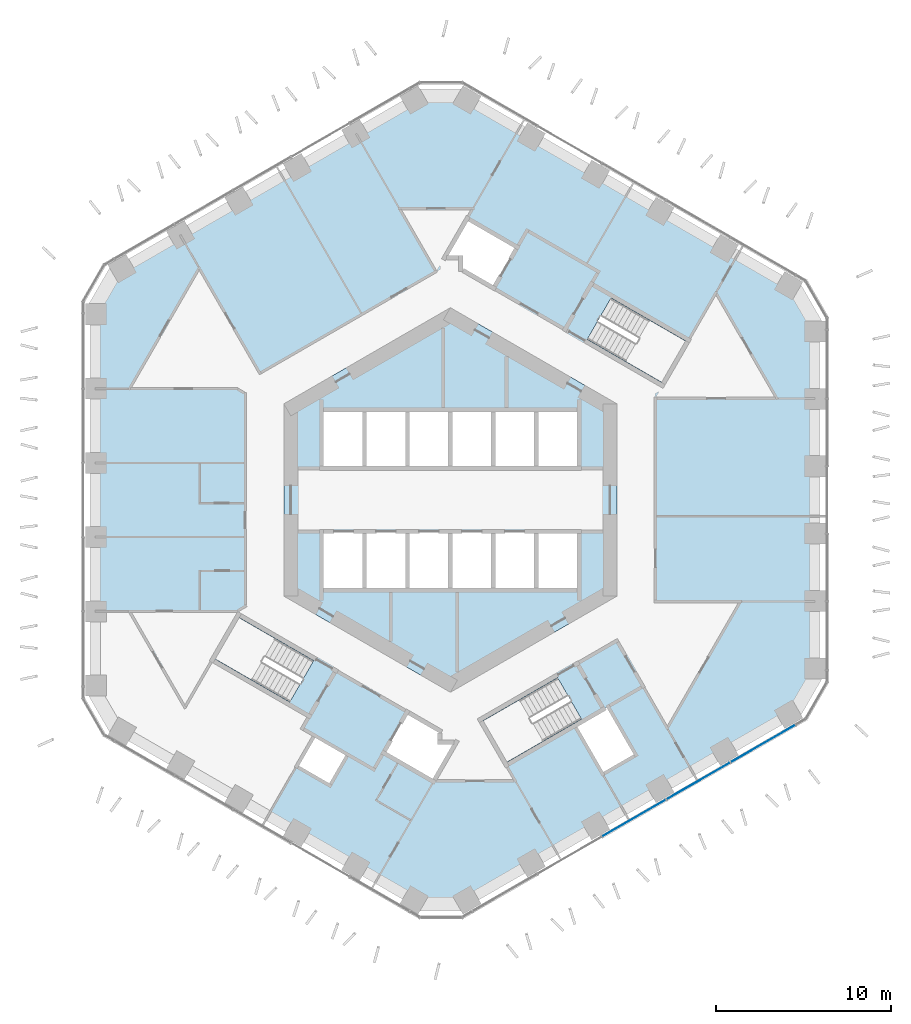
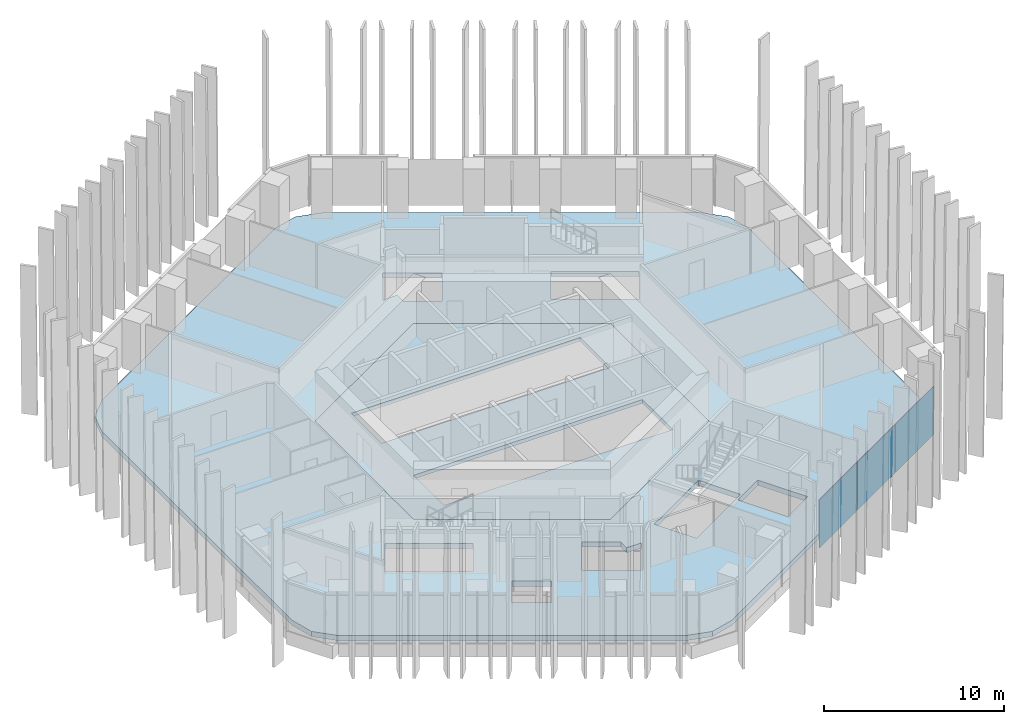
# One storey, part 9 of 19: 3 plates, 2 slabs, 1 element without a shape of its own.
"""IFC4 building model written with IfcOpenShell, lengths in metres."""

from ifc_helpers import new_model, si_unit, direction, frame, origin, origin_2d, place, context, subcontext, project, spatial, polyline, rectangle, outline, extrude, material, layer, layer_set, type_object, element, aggregate, save


model = new_model("IFC4")

# Units and contexts
model_context = context("Model", 3, precision=1e-05, world=origin(), true_north=direction((0.0, 1.0)))
body_context = subcontext(model_context, "Body", "Model", "MODEL_VIEW")
ifc_project = project(units=[si_unit("LENGTHUNIT", "METRE"), si_unit("AREAUNIT", "SQUARE_METRE"), si_unit("VOLUMEUNIT", "CUBIC_METRE"), si_unit("PLANEANGLEUNIT", "RADIAN"), si_unit("MASSUNIT", "GRAM", prefix="KILO")], contexts=[model_context])

# Site, building, storey
site_placement = place(None, origin())
site = spatial("IfcSite", under=ifc_project, at=site_placement, CompositionType="ELEMENT")
building_placement = place(site_placement, origin())
building = spatial("IfcBuilding", under=site, at=building_placement, Name="Ayvan Gate Tower", CompositionType="ELEMENT")
storey_placement = place(building_placement, frame((0.0, 0.0, 56.10009765625)))
storey = spatial("IfcBuildingStorey", under=building, at=storey_placement, Name="L14", CompositionType="ELEMENT", Elevation=56.10009765625)

# Slabs
ifc_material_1 = material(Name="Concrete C40/50", Category="concrete")
ifc_layer_1 = layer(ifc_material_1, 0.35009765625)
ifc_layer_set_1 = layer_set([ifc_layer_1], Name="Concrete C40/50")
slab_type_1 = type_object("IfcSlabType", Name="Post-tensioned flat slab 350", PredefinedType="FLOOR", material=ifc_layer_set_1)
slab_1_placement = place(storey_placement, frame((0.0, 0.0, -0.35009765625)))
element("IfcSlab", 1, at=slab_1_placement, inside=storey, type_object=slab_type_1, Name="SL-L14", PredefinedType="FLOOR", context=body_context, shape_type="SweptSolid", body=[
    extrude(outline(polyline([(-2.0341796875, -22.82568359375), (-18.75048828125, -13.17431640625), (-19.8486328125, -12.076416015625), (-20.25048828125, -10.576416015625), (-20.25048828125, 10.576416015625), (-19.8486328125, 12.076416015625), (-18.75048828125, 13.17431640625), (-2.0341796875, 22.82568359375), (-0.5341796875, 23.2275390625), (0.9658203125, 22.82568359375), (19.28466796875, 12.249267578125), (20.382568359375, 11.151123046875), (20.78466796875, 9.651123046875), (20.78466796875, -9.651123046875), (20.382568359375, -11.151123046875), (19.28466796875, -12.249267578125), (0.9658203125, -22.82568359375), (-0.5341796875, -23.2275390625), (-2.0341796875, -22.82568359375)]), holes=[polyline([(9.1611328125, 11.517578125), (7.80615234375, 9.170654296875), (12.049560546875, 6.720458984375), (13.404541015625, 9.0673828125), (9.1611328125, 11.517578125)]), polyline([(10.595458984375, -14.5517578125), (8.995361328125, -11.780517578125), (8.735595703125, -11.9306640625), (7.090087890625, -12.880615234375), (8.686279296875, -15.645263671875), (8.690185546875, -15.65185546875), (10.595458984375, -14.5517578125)]), polyline([(-9.5, 5.48486328125), (-9.5, -5.48486328125), (0.0, -10.9697265625), (9.5, -5.48486328125), (9.5, 5.48486328125), (0.0, 10.9697265625), (-9.5, 5.48486328125)]), polyline([(7.472412109375, -12.492431640625), (6.117431640625, -10.1455078125), (1.873779296875, -12.595458984375), (3.228759765625, -14.9423828125), (7.472412109375, -12.492431640625)]), polyline([(3.822509765625, 14.420654296875), (0.964599609375, 16.07080078125), (-0.340576171875, 13.81005859375), (0.60009765625, 13.81005859375), (0.60009765625, 13.16357421875), (2.472412109375, 12.08251953125), (3.822509765625, 14.420654296875)]), polyline([(-0.60009765625, -13.81005859375), (-0.60009765625, -13.16357421875), (-2.472412109375, -12.08251953125), (-3.822509765625, -14.420654296875), (-0.964599609375, -16.07080078125), (-0.939697265625, -16.027587890625), (0.340576171875, -13.81005859375), (-0.60009765625, -13.81005859375)]), polyline([(-5.8447265625, -14.5234375), (-7.75, -13.42333984375), (-8.120361328125, -14.06494140625), (-8.687744140625, -15.047607421875), (-8.775146484375, -15.19873046875), (-6.869873046875, -16.298828125), (-5.8447265625, -14.5234375)]), polyline([(-12.049560546875, -6.720458984375), (-13.404541015625, -9.0673828125), (-9.1611328125, -11.517578125), (-7.80615234375, -9.170654296875), (-12.049560546875, -6.720458984375)])]), origin(), (0.0, 0.0, 1.0), 0.35009765625),
])
ifc_layer_2 = layer(ifc_material_1, 0.25)
ifc_layer_set_2 = layer_set([ifc_layer_2], Name="Concrete C40/50")
slab_type_2 = type_object("IfcSlabType", Name="SL-CORE-250", PredefinedType="FLOOR", material=ifc_layer_set_2)
slab_2_placement = place(storey_placement, frame((0.0, 0.0, -0.25)))
element("IfcSlab", 2, at=slab_2_placement, inside=storey, type_object=slab_type_2, Name="CS-L14", PredefinedType="FLOOR", context=body_context, shape_type="SweptSolid", body=[
    extrude(outline(polyline([(9.5, -5.48486328125), (0.0, -10.9697265625), (-9.5, -5.48486328125), (-9.5, 5.48486328125), (0.0, 10.9697265625), (9.5, 5.48486328125), (9.5, -5.48486328125)]), holes=[polyline([(-7.35009765625, -1.800048828125), (-7.35009765625, -5.14990234375), (7.35009765625, -5.14990234375), (7.35009765625, -1.800048828125), (-7.35009765625, -1.800048828125)]), polyline([(-7.35009765625, 5.14990234375), (-7.35009765625, 1.800048828125), (7.35009765625, 1.800048828125), (7.35009765625, 5.14990234375), (-7.35009765625, 5.14990234375)])]), origin(), (0.0, 0.0, 1.0), 0.25),
])

# Curtain wall, plates
ifc_material_2 = material(Name="Bronze anodised aluminium", Category="aluminium")
ifc_layer_3 = layer(ifc_material_2, 0.199951171875)
ifc_layer_set_3 = layer_set([ifc_layer_3], Name="Bronze anodised aluminium")
curtain_wall_type = type_object("IfcCurtainWallType", Name="Stick curtain wall CW-1", PredefinedType="NOTDEFINED", material=ifc_layer_set_3)
curtain_wall_placement = place(storey_placement, origin())
curtain_wall = element("IfcCurtainWall", 3, at=curtain_wall_placement, inside=storey, type_object=curtain_wall_type, Name="Stick curtain wall CW-1 L14", PredefinedType="NOTDEFINED")
ifc_material_3 = material(Name="Clear low-iron laminated glass", Category="glass")
ifc_layer_4 = layer(ifc_material_3, 0.028076171875)
ifc_layer_set_4 = layer_set([ifc_layer_4], Name="Clear low-iron laminated glass")
plate_type = type_object("IfcPlateType", Name="Stick curtain wall CW-1 glass panel", PredefinedType="CURTAIN_PANEL", material=ifc_layer_set_4)
plate_1_placement = place(storey_placement, frame((10.475341796875, -18.1435546875, 0.0), z_axis=(0.0, 0.0, 1.0), x_axis=(0.866025403784, 0.5, 0.0)))
plate_1 = element("IfcPlate", 4, at=plate_1_placement, type_object=plate_type, Name="CW-1 glass panel 3", PredefinedType="CURTAIN_PANEL", context=body_context, shape_type="SweptSolid", body=[
    extrude(rectangle(XDim=4.177001953125, YDim=0.028076171875, at=origin_2d()), origin(), (0.0, 0.0, 1.0), 3.280029296875),
])
plate_2_placement = place(storey_placement, frame((14.14501953125, -16.02490234375, 0.0), z_axis=(0.0, 0.0, 1.0), x_axis=(0.866025403784, 0.5, 0.0)))
plate_2 = element("IfcPlate", 5, at=plate_2_placement, type_object=plate_type, Name="CW-1 glass panel 4", PredefinedType="CURTAIN_PANEL", context=body_context, shape_type="SweptSolid", body=[
    extrude(rectangle(XDim=4.177978515625, YDim=0.028076171875, at=origin_2d()), origin(), (0.0, 0.0, 1.0), 3.280029296875),
])
plate_3_placement = place(storey_placement, frame((17.84716796875, -13.887451171875, 0.0), z_axis=(0.0, 0.0, 1.0), x_axis=(0.866025403784, 0.5, 0.0)))
plate_3 = element("IfcPlate", 6, at=plate_3_placement, type_object=plate_type, Name="CW-1 glass panel 5", PredefinedType="CURTAIN_PANEL", context=body_context, shape_type="SweptSolid", body=[
    extrude(rectangle(XDim=4.251953125, YDim=0.028076171875, at=origin_2d()), origin(), (0.0, 0.0, 1.0), 3.280029296875),
])
aggregate(curtain_wall, [plate_1, plate_2, plate_3])

save(model, "model.ifc")
